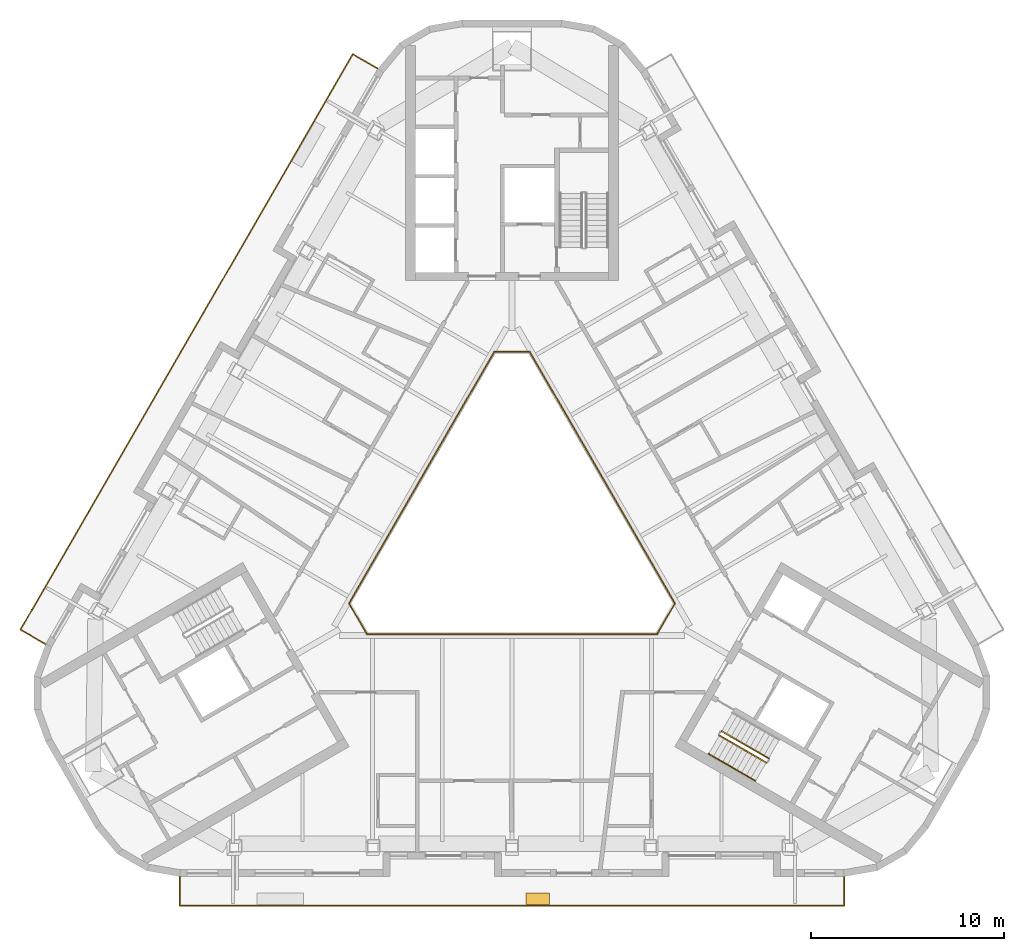
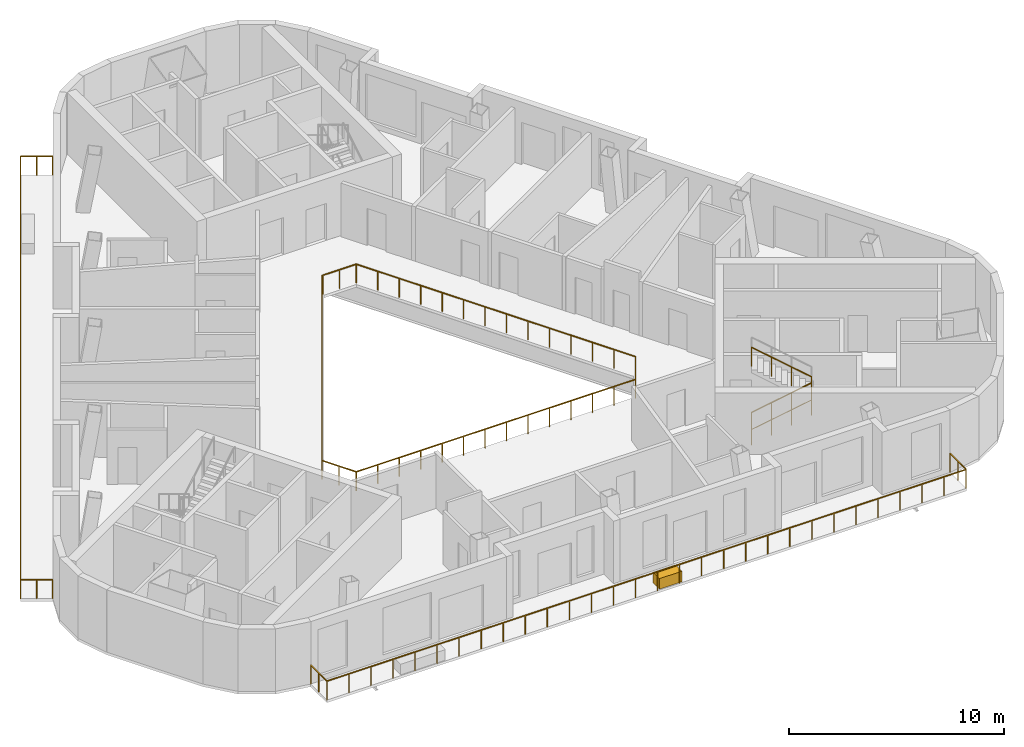
# One storey, part 10 of 13: 7 railings, 1 covering.
"""IFC4 building model written with IfcOpenShell, lengths in metres."""

from ifc_helpers import new_model, si_unit, direction, frame, origin, origin_2d, place, context, subcontext, project, spatial, rectangle, circle, extrude, material, type_object, element, save


model = new_model("IFC4")

# Units and contexts
model_context = context("Model", 3, precision=1e-05, world=origin(), true_north=direction((0.0, 1.0)))
body_context = subcontext(model_context, "Body", "Model", "MODEL_VIEW")
ifc_project = project(units=[si_unit("LENGTHUNIT", "METRE"), si_unit("AREAUNIT", "SQUARE_METRE"), si_unit("VOLUMEUNIT", "CUBIC_METRE"), si_unit("PLANEANGLEUNIT", "RADIAN"), si_unit("MASSUNIT", "GRAM", prefix="KILO")], contexts=[model_context])

# Site, building, storey
site_placement = place(None, origin())
site = spatial("IfcSite", under=ifc_project, at=site_placement, CompositionType="ELEMENT")
building_placement = place(site_placement, origin())
building = spatial("IfcBuilding", under=site, at=building_placement, Name="Apuvela Tower Hotel", CompositionType="ELEMENT")
storey_placement = place(building_placement, frame((0.0, 0.0, 287.39990234375)))
storey = spatial("IfcBuildingStorey", under=building, at=storey_placement, Name="L71", CompositionType="ELEMENT", Elevation=287.39990234375)

# Railings
ifc_material_1 = material(Name="Steel S275 balustrade", Category="steel")
railing_type_1 = type_object("IfcRailingType", Name="COR-GUARD-1100", PredefinedType="GUARDRAIL", material=ifc_material_1)
railing_1_placement = place(storey_placement, frame((10.718994140625, -10.63427734375, 0.168212890625)))
element("IfcRailing", 1, at=railing_1_placement, inside=storey, type_object=railing_type_1, Name="L71 ST3 stair guard 1", PredefinedType="GUARDRAIL", context=body_context, shape_type="SweptSolid", body=[
    extrude(rectangle(XDim=0.048095703125, YDim=0.048095703125, at=origin_2d()), frame((0.0, 0.0, 1.076171875), z_axis=(0.742390482028, -0.42860119049, 0.514934356695), x_axis=(0.49998411664, 0.866034573852, 0.0)), (0.0, 0.0, 1.0), 3.26611328125),
    extrude(rectangle(XDim=0.0419921875, YDim=0.0419921875, at=origin_2d()), origin(), (0.0, 0.0, 1.0), 1.052001953125),
    extrude(rectangle(XDim=0.0419921875, YDim=0.0419921875, at=origin_2d()), frame((0.808349609375, -0.466552734375, 0.560546875)), (0.0, 0.0, 1.0), 1.052001953125),
    extrude(rectangle(XDim=0.0419921875, YDim=0.0419921875, at=origin_2d()), frame((1.616455078125, -0.933349609375, 1.121337890625)), (0.0, 0.0, 1.0), 1.052001953125),
    extrude(rectangle(XDim=0.0419921875, YDim=0.0419921875, at=origin_2d()), frame((2.4248046875, -1.39990234375, 1.681884765625)), (0.0, 0.0, 1.0), 1.052001953125),
])
railing_2_placement = place(storey_placement, frame((13.268798828125, -11.817626953125, 2.018310546875)))
element("IfcRailing", 2, at=railing_2_placement, inside=storey, type_object=railing_type_1, Name="L71 ST3 stair guard 3", PredefinedType="GUARDRAIL", context=body_context, shape_type="SweptSolid", body=[
    extrude(rectangle(XDim=0.048095703125, YDim=0.048095703125, at=origin_2d()), frame((0.0, 0.0, 1.076171875), z_axis=(-0.742390482028, 0.42860119049, 0.514934356695), x_axis=(-0.49998411664, -0.866034573852, 0.0)), (0.0, 0.0, 1.0), 3.26611328125),
    extrude(rectangle(XDim=0.0419921875, YDim=0.0419921875, at=origin_2d()), origin(), (0.0, 0.0, 1.0), 1.052001953125),
    extrude(rectangle(XDim=0.0419921875, YDim=0.0419921875, at=origin_2d()), frame((-0.808349609375, 0.466552734375, 0.560546875)), (0.0, 0.0, 1.0), 1.052001953125),
    extrude(rectangle(XDim=0.0419921875, YDim=0.0419921875, at=origin_2d()), frame((-1.616455078125, 0.933349609375, 1.121337890625)), (0.0, 0.0, 1.0), 1.052001953125),
    extrude(rectangle(XDim=0.0419921875, YDim=0.0419921875, at=origin_2d()), frame((-2.4248046875, 1.39990234375, 1.681884765625)), (0.0, 0.0, 1.0), 1.052001953125),
])
ifc_material_2 = material(Name="Stainless steel 316 handrail", Category="steel")
railing_type_2 = type_object("IfcRailingType", Name="COR-HANDRAIL-900", PredefinedType="HANDRAIL", material=ifc_material_2)
railing_3_placement = place(storey_placement, frame((10.1689453125, -11.5869140625, 0.168212890625)))
element("IfcRailing", 3, at=railing_3_placement, inside=storey, type_object=railing_type_2, Name="L71 ST3 stair handrail 1", PredefinedType="HANDRAIL", context=body_context, shape_type="SweptSolid", body=[
    extrude(circle(Radius=0.02392578125, at=origin_2d()), frame((0.0, 0.0, 0.8759765625), z_axis=(0.742390482028, -0.42860119049, 0.514934356695), x_axis=(0.49998411664, 0.866034573852, 0.0)), (0.0, 0.0, 1.0), 3.26611328125),
    extrude(rectangle(XDim=0.0419921875, YDim=0.0419921875, at=origin_2d()), origin(), (0.0, 0.0, 1.0), 0.851806640625),
    extrude(rectangle(XDim=0.0419921875, YDim=0.0419921875, at=origin_2d()), frame((0.808349609375, -0.466552734375, 0.560546875)), (0.0, 0.0, 1.0), 0.851806640625),
    extrude(rectangle(XDim=0.0419921875, YDim=0.0419921875, at=origin_2d()), frame((1.616455078125, -0.933349609375, 1.121337890625)), (0.0, 0.0, 1.0), 0.851806640625),
    extrude(rectangle(XDim=0.0419921875, YDim=0.0419921875, at=origin_2d()), frame((2.4248046875, -1.39990234375, 1.681884765625)), (0.0, 0.0, 1.0), 0.851806640625),
])
ifc_material_3 = material(Name="Stainless steel 316 rail with laminated glass infill", Category="steel")
railing_type_3 = type_object("IfcRailingType", Name="ENV-GUARD-1100", PredefinedType="GUARDRAIL", material=ifc_material_3)
railing_4_placement = place(storey_placement, frame((-17.18505859375, -17.9287109375, 0.0)))
element("IfcRailing", 4, at=railing_4_placement, inside=storey, type_object=railing_type_3, Name="Balcony guard S L71", PredefinedType="GUARDRAIL", context=body_context, shape_type="SweptSolid", body=[
    extrude(rectangle(XDim=0.050048828125, YDim=0.050048828125, at=origin_2d()), frame((0.0, 0.0, 1.0751953125), z_axis=(0.0, -1.0, 0.0), x_axis=(1.0, 0.0, 0.0)), (0.0, 0.0, 1.0), 1.5),
    extrude(rectangle(XDim=0.050048828125, YDim=0.050048828125, at=origin_2d()), frame((0.0, -1.5, 1.0751953125), z_axis=(1.0, 0.0, 0.0), x_axis=(0.0, 1.0, 0.0)), (0.0, 0.0, 1.0), 34.3701171875),
    extrude(rectangle(XDim=0.050048828125, YDim=0.050048828125, at=origin_2d()), frame((34.3701171875, -1.5, 1.0751953125), z_axis=(0.0, 1.0, 0.0), x_axis=(-1.0, 0.0, 0.0)), (0.0, 0.0, 1.0), 1.5),
    extrude(rectangle(XDim=0.0400390625, YDim=0.0400390625, at=origin_2d()), origin(), (0.0, 0.0, 1.0), 1.050048828125),
    extrude(rectangle(XDim=0.0400390625, YDim=0.0400390625, at=origin_2d()), frame((0.0, -0.75, 0.0)), (0.0, 0.0, 1.0), 1.050048828125),
    extrude(rectangle(XDim=0.0400390625, YDim=0.0400390625, at=origin_2d()), frame((0.0, -1.5, 0.0)), (0.0, 0.0, 1.0), 1.050048828125),
    extrude(rectangle(XDim=0.0400390625, YDim=0.0400390625, at=origin_2d()), frame((1.18505859375, -1.5, 0.0)), (0.0, 0.0, 1.0), 1.050048828125),
    extrude(rectangle(XDim=0.0400390625, YDim=0.0400390625, at=origin_2d()), frame((2.370361328125, -1.5, 0.0)), (0.0, 0.0, 1.0), 1.050048828125),
    extrude(rectangle(XDim=0.0400390625, YDim=0.0400390625, at=origin_2d()), frame((3.555419921875, -1.5, 0.0)), (0.0, 0.0, 1.0), 1.050048828125),
    extrude(rectangle(XDim=0.0400390625, YDim=0.0400390625, at=origin_2d()), frame((4.74072265625, -1.5, 0.0)), (0.0, 0.0, 1.0), 1.050048828125),
    extrude(rectangle(XDim=0.0400390625, YDim=0.0400390625, at=origin_2d()), frame((5.92578125, -1.5, 0.0)), (0.0, 0.0, 1.0), 1.050048828125),
    extrude(rectangle(XDim=0.0400390625, YDim=0.0400390625, at=origin_2d()), frame((7.111083984375, -1.5, 0.0)), (0.0, 0.0, 1.0), 1.050048828125),
    extrude(rectangle(XDim=0.0400390625, YDim=0.0400390625, at=origin_2d()), frame((8.296142578125, -1.5, 0.0)), (0.0, 0.0, 1.0), 1.050048828125),
    extrude(rectangle(XDim=0.0400390625, YDim=0.0400390625, at=origin_2d()), frame((9.4814453125, -1.5, 0.0)), (0.0, 0.0, 1.0), 1.050048828125),
    extrude(rectangle(XDim=0.0400390625, YDim=0.0400390625, at=origin_2d()), frame((10.66650390625, -1.5, 0.0)), (0.0, 0.0, 1.0), 1.050048828125),
    extrude(rectangle(XDim=0.0400390625, YDim=0.0400390625, at=origin_2d()), frame((11.851806640625, -1.5, 0.0)), (0.0, 0.0, 1.0), 1.050048828125),
    extrude(rectangle(XDim=0.0400390625, YDim=0.0400390625, at=origin_2d()), frame((13.036865234375, -1.5, 0.0)), (0.0, 0.0, 1.0), 1.050048828125),
    extrude(rectangle(XDim=0.0400390625, YDim=0.0400390625, at=origin_2d()), frame((14.22216796875, -1.5, 0.0)), (0.0, 0.0, 1.0), 1.050048828125),
    extrude(rectangle(XDim=0.0400390625, YDim=0.0400390625, at=origin_2d()), frame((15.4072265625, -1.5, 0.0)), (0.0, 0.0, 1.0), 1.050048828125),
    extrude(rectangle(XDim=0.0400390625, YDim=0.0400390625, at=origin_2d()), frame((16.592529296875, -1.5, 0.0)), (0.0, 0.0, 1.0), 1.050048828125),
    extrude(rectangle(XDim=0.0400390625, YDim=0.0400390625, at=origin_2d()), frame((17.777587890625, -1.5, 0.0)), (0.0, 0.0, 1.0), 1.050048828125),
    extrude(rectangle(XDim=0.0400390625, YDim=0.0400390625, at=origin_2d()), frame((18.962890625, -1.5, 0.0)), (0.0, 0.0, 1.0), 1.050048828125),
    extrude(rectangle(XDim=0.0400390625, YDim=0.0400390625, at=origin_2d()), frame((20.14794921875, -1.5, 0.0)), (0.0, 0.0, 1.0), 1.050048828125),
    extrude(rectangle(XDim=0.0400390625, YDim=0.0400390625, at=origin_2d()), frame((21.333251953125, -1.5, 0.0)), (0.0, 0.0, 1.0), 1.050048828125),
    extrude(rectangle(XDim=0.0400390625, YDim=0.0400390625, at=origin_2d()), frame((22.518310546875, -1.5, 0.0)), (0.0, 0.0, 1.0), 1.050048828125),
    extrude(rectangle(XDim=0.0400390625, YDim=0.0400390625, at=origin_2d()), frame((23.70361328125, -1.5, 0.0)), (0.0, 0.0, 1.0), 1.050048828125),
    extrude(rectangle(XDim=0.0400390625, YDim=0.0400390625, at=origin_2d()), frame((24.888671875, -1.5, 0.0)), (0.0, 0.0, 1.0), 1.050048828125),
    extrude(rectangle(XDim=0.0400390625, YDim=0.0400390625, at=origin_2d()), frame((26.073974609375, -1.5, 0.0)), (0.0, 0.0, 1.0), 1.050048828125),
    extrude(rectangle(XDim=0.0400390625, YDim=0.0400390625, at=origin_2d()), frame((27.259033203125, -1.5, 0.0)), (0.0, 0.0, 1.0), 1.050048828125),
    extrude(rectangle(XDim=0.0400390625, YDim=0.0400390625, at=origin_2d()), frame((28.4443359375, -1.5, 0.0)), (0.0, 0.0, 1.0), 1.050048828125),
    extrude(rectangle(XDim=0.0400390625, YDim=0.0400390625, at=origin_2d()), frame((29.62939453125, -1.5, 0.0)), (0.0, 0.0, 1.0), 1.050048828125),
    extrude(rectangle(XDim=0.0400390625, YDim=0.0400390625, at=origin_2d()), frame((30.814697265625, -1.5, 0.0)), (0.0, 0.0, 1.0), 1.050048828125),
    extrude(rectangle(XDim=0.0400390625, YDim=0.0400390625, at=origin_2d()), frame((31.999755859375, -1.5, 0.0)), (0.0, 0.0, 1.0), 1.050048828125),
    extrude(rectangle(XDim=0.0400390625, YDim=0.0400390625, at=origin_2d()), frame((33.18505859375, -1.5, 0.0)), (0.0, 0.0, 1.0), 1.050048828125),
    extrude(rectangle(XDim=0.0400390625, YDim=0.0400390625, at=origin_2d()), frame((34.3701171875, -1.5, 0.0)), (0.0, 0.0, 1.0), 1.050048828125),
    extrude(rectangle(XDim=0.0400390625, YDim=0.0400390625, at=origin_2d()), frame((34.3701171875, -0.75, 0.0)), (0.0, 0.0, 1.0), 1.050048828125),
    extrude(rectangle(XDim=0.0400390625, YDim=0.0400390625, at=origin_2d()), frame((34.3701171875, 0.0, 0.0)), (0.0, 0.0, 1.0), 1.050048828125),
])
railing_5_placement = place(storey_placement, frame((-6.93408203125, 23.84716796875, 0.0)))
element("IfcRailing", 5, at=railing_5_placement, inside=storey, type_object=railing_type_3, Name="Balcony guard NW L71", PredefinedType="GUARDRAIL", context=body_context, shape_type="SweptSolid", body=[
    extrude(rectangle(XDim=0.050048828125, YDim=0.050048828125, at=origin_2d()), frame((0.0, 0.0, 1.0751953125), z_axis=(-0.866031096941, 0.499990139034, 0.0), x_axis=(-0.499990139034, -0.866031096941, 0.0)), (0.0, 0.0, 1.0), 1.5),
    extrude(rectangle(XDim=0.050048828125, YDim=0.050048828125, at=origin_2d()), frame((-1.299072265625, 0.75, 1.0751953125), z_axis=(-0.499997097509, -0.866027079532, 0.0), x_axis=(0.866027079532, -0.499997097509, 0.0)), (0.0, 0.0, 1.0), 34.370361328125),
    extrude(rectangle(XDim=0.050048828125, YDim=0.050048828125, at=origin_2d()), frame((-18.484130859375, -29.015625, 1.0751953125), z_axis=(0.86599040064, -0.500060622324, 0.0), x_axis=(0.500060622324, 0.86599040064, 0.0)), (0.0, 0.0, 1.0), 1.499755859375),
    extrude(rectangle(XDim=0.0400390625, YDim=0.0400390625, at=origin_2d()), origin(), (0.0, 0.0, 1.0), 1.050048828125),
    extrude(rectangle(XDim=0.0400390625, YDim=0.0400390625, at=origin_2d()), frame((-0.6494140625, 0.375, 0.0)), (0.0, 0.0, 1.0), 1.050048828125),
    extrude(rectangle(XDim=0.0400390625, YDim=0.0400390625, at=origin_2d()), frame((-1.299072265625, 0.75, 0.0)), (0.0, 0.0, 1.0), 1.050048828125),
    extrude(rectangle(XDim=0.0400390625, YDim=0.0400390625, at=origin_2d()), frame((-1.8916015625, -0.2763671875, 0.0)), (0.0, 0.0, 1.0), 1.050048828125),
    extrude(rectangle(XDim=0.0400390625, YDim=0.0400390625, at=origin_2d()), frame((-2.484130859375, -1.302734375, 0.0)), (0.0, 0.0, 1.0), 1.050048828125),
    extrude(rectangle(XDim=0.0400390625, YDim=0.0400390625, at=origin_2d()), frame((-3.076904296875, -2.3291015625, 0.0)), (0.0, 0.0, 1.0), 1.050048828125),
    extrude(rectangle(XDim=0.0400390625, YDim=0.0400390625, at=origin_2d()), frame((-3.66943359375, -3.355712890625, 0.0)), (0.0, 0.0, 1.0), 1.050048828125),
    extrude(rectangle(XDim=0.0400390625, YDim=0.0400390625, at=origin_2d()), frame((-4.261962890625, -4.382080078125, 0.0)), (0.0, 0.0, 1.0), 1.050048828125),
    extrude(rectangle(XDim=0.0400390625, YDim=0.0400390625, at=origin_2d()), frame((-4.8544921875, -5.408447265625, 0.0)), (0.0, 0.0, 1.0), 1.050048828125),
    extrude(rectangle(XDim=0.0400390625, YDim=0.0400390625, at=origin_2d()), frame((-5.447265625, -6.434814453125, 0.0)), (0.0, 0.0, 1.0), 1.050048828125),
    extrude(rectangle(XDim=0.0400390625, YDim=0.0400390625, at=origin_2d()), frame((-6.039794921875, -7.461181640625, 0.0)), (0.0, 0.0, 1.0), 1.050048828125),
    extrude(rectangle(XDim=0.0400390625, YDim=0.0400390625, at=origin_2d()), frame((-6.63232421875, -8.487548828125, 0.0)), (0.0, 0.0, 1.0), 1.050048828125),
    extrude(rectangle(XDim=0.0400390625, YDim=0.0400390625, at=origin_2d()), frame((-7.224853515625, -9.513916015625, 0.0)), (0.0, 0.0, 1.0), 1.050048828125),
    extrude(rectangle(XDim=0.0400390625, YDim=0.0400390625, at=origin_2d()), frame((-7.817626953125, -10.54052734375, 0.0)), (0.0, 0.0, 1.0), 1.050048828125),
    extrude(rectangle(XDim=0.0400390625, YDim=0.0400390625, at=origin_2d()), frame((-8.41015625, -11.56689453125, 0.0)), (0.0, 0.0, 1.0), 1.050048828125),
    extrude(rectangle(XDim=0.0400390625, YDim=0.0400390625, at=origin_2d()), frame((-9.002685546875, -12.59326171875, 0.0)), (0.0, 0.0, 1.0), 1.050048828125),
    extrude(rectangle(XDim=0.0400390625, YDim=0.0400390625, at=origin_2d()), frame((-9.59521484375, -13.61962890625, 0.0)), (0.0, 0.0, 1.0), 1.050048828125),
    extrude(rectangle(XDim=0.0400390625, YDim=0.0400390625, at=origin_2d()), frame((-10.18798828125, -14.64599609375, 0.0)), (0.0, 0.0, 1.0), 1.050048828125),
    extrude(rectangle(XDim=0.0400390625, YDim=0.0400390625, at=origin_2d()), frame((-10.780517578125, -15.67236328125, 0.0)), (0.0, 0.0, 1.0), 1.050048828125),
    extrude(rectangle(XDim=0.0400390625, YDim=0.0400390625, at=origin_2d()), frame((-11.373046875, -16.69873046875, 0.0)), (0.0, 0.0, 1.0), 1.050048828125),
    extrude(rectangle(XDim=0.0400390625, YDim=0.0400390625, at=origin_2d()), frame((-11.965576171875, -17.72509765625, 0.0)), (0.0, 0.0, 1.0), 1.050048828125),
    extrude(rectangle(XDim=0.0400390625, YDim=0.0400390625, at=origin_2d()), frame((-12.558349609375, -18.751708984375, 0.0)), (0.0, 0.0, 1.0), 1.050048828125),
    extrude(rectangle(XDim=0.0400390625, YDim=0.0400390625, at=origin_2d()), frame((-13.15087890625, -19.778076171875, 0.0)), (0.0, 0.0, 1.0), 1.050048828125),
    extrude(rectangle(XDim=0.0400390625, YDim=0.0400390625, at=origin_2d()), frame((-13.743408203125, -20.804443359375, 0.0)), (0.0, 0.0, 1.0), 1.050048828125),
    extrude(rectangle(XDim=0.0400390625, YDim=0.0400390625, at=origin_2d()), frame((-14.3359375, -21.830810546875, 0.0)), (0.0, 0.0, 1.0), 1.050048828125),
    extrude(rectangle(XDim=0.0400390625, YDim=0.0400390625, at=origin_2d()), frame((-14.9287109375, -22.857177734375, 0.0)), (0.0, 0.0, 1.0), 1.050048828125),
    extrude(rectangle(XDim=0.0400390625, YDim=0.0400390625, at=origin_2d()), frame((-15.521240234375, -23.883544921875, 0.0)), (0.0, 0.0, 1.0), 1.050048828125),
    extrude(rectangle(XDim=0.0400390625, YDim=0.0400390625, at=origin_2d()), frame((-16.11376953125, -24.909912109375, 0.0)), (0.0, 0.0, 1.0), 1.050048828125),
    extrude(rectangle(XDim=0.0400390625, YDim=0.0400390625, at=origin_2d()), frame((-16.706298828125, -25.9365234375, 0.0)), (0.0, 0.0, 1.0), 1.050048828125),
    extrude(rectangle(XDim=0.0400390625, YDim=0.0400390625, at=origin_2d()), frame((-17.299072265625, -26.962890625, 0.0)), (0.0, 0.0, 1.0), 1.050048828125),
    extrude(rectangle(XDim=0.0400390625, YDim=0.0400390625, at=origin_2d()), frame((-17.8916015625, -27.9892578125, 0.0)), (0.0, 0.0, 1.0), 1.050048828125),
    extrude(rectangle(XDim=0.0400390625, YDim=0.0400390625, at=origin_2d()), frame((-18.484130859375, -29.015625, 0.0)), (0.0, 0.0, 1.0), 1.050048828125),
    extrude(rectangle(XDim=0.0400390625, YDim=0.0400390625, at=origin_2d()), frame((-17.834716796875, -29.390625, 0.0)), (0.0, 0.0, 1.0), 1.050048828125),
    extrude(rectangle(XDim=0.0400390625, YDim=0.0400390625, at=origin_2d()), frame((-17.185302734375, -29.765625, 0.0)), (0.0, 0.0, 1.0), 1.050048828125),
])
railing_6_placement = place(storey_placement, frame((-0.923828125, 9.199951171875, 0.0)))
element("IfcRailing", 6, at=railing_6_placement, inside=storey, type_object=railing_type_3, Name="Atrium void guard A L71", PredefinedType="GUARDRAIL", context=body_context, shape_type="SweptSolid", body=[
    extrude(rectangle(XDim=0.050048828125, YDim=0.050048828125, at=origin_2d()), frame((0.0, 0.0, 1.0751953125), z_axis=(-0.499990886379, -0.866030665472, 0.0), x_axis=(0.866030665472, -0.499990886379, 0.0)), (0.0, 0.0, 1.0), 15.010986328125),
    extrude(rectangle(XDim=0.050048828125, YDim=0.050048828125, at=origin_2d()), frame((-7.50537109375, -13.0, 1.0751953125), z_axis=(0.499962699187, -0.866046938348, 0.0), x_axis=(0.866046938348, 0.499962699187, 0.0)), (0.0, 0.0, 1.0), 1.847412109375),
    extrude(rectangle(XDim=0.050048828125, YDim=0.050048828125, at=origin_2d()), frame((-6.581787109375, -14.599853515625, 1.0751953125), z_axis=(1.0, 0.0, 0.0), x_axis=(0.0, 1.0, 0.0)), (0.0, 0.0, 1.0), 15.01123046875),
    extrude(rectangle(XDim=0.0400390625, YDim=0.0400390625, at=origin_2d()), origin(), (0.0, 0.0, 1.0), 1.050048828125),
    extrude(rectangle(XDim=0.0400390625, YDim=0.0400390625, at=origin_2d()), frame((-0.577392578125, -1.0, 0.0)), (0.0, 0.0, 1.0), 1.050048828125),
    extrude(rectangle(XDim=0.0400390625, YDim=0.0400390625, at=origin_2d()), frame((-1.15478515625, -2.0, 0.0)), (0.0, 0.0, 1.0), 1.050048828125),
    extrude(rectangle(XDim=0.0400390625, YDim=0.0400390625, at=origin_2d()), frame((-1.73193359375, -3.0, 0.0)), (0.0, 0.0, 1.0), 1.050048828125),
    extrude(rectangle(XDim=0.0400390625, YDim=0.0400390625, at=origin_2d()), frame((-2.309326171875, -4.0, 0.0)), (0.0, 0.0, 1.0), 1.050048828125),
    extrude(rectangle(XDim=0.0400390625, YDim=0.0400390625, at=origin_2d()), frame((-2.88671875, -5.0, 0.0)), (0.0, 0.0, 1.0), 1.050048828125),
    extrude(rectangle(XDim=0.0400390625, YDim=0.0400390625, at=origin_2d()), frame((-3.464111328125, -6.0, 0.0)), (0.0, 0.0, 1.0), 1.050048828125),
    extrude(rectangle(XDim=0.0400390625, YDim=0.0400390625, at=origin_2d()), frame((-4.041259765625, -7.0, 0.0)), (0.0, 0.0, 1.0), 1.050048828125),
    extrude(rectangle(XDim=0.0400390625, YDim=0.0400390625, at=origin_2d()), frame((-4.61865234375, -8.0, 0.0)), (0.0, 0.0, 1.0), 1.050048828125),
    extrude(rectangle(XDim=0.0400390625, YDim=0.0400390625, at=origin_2d()), frame((-5.196044921875, -9.0, 0.0)), (0.0, 0.0, 1.0), 1.050048828125),
    extrude(rectangle(XDim=0.0400390625, YDim=0.0400390625, at=origin_2d()), frame((-5.7734375, -10.0, 0.0)), (0.0, 0.0, 1.0), 1.050048828125),
    extrude(rectangle(XDim=0.0400390625, YDim=0.0400390625, at=origin_2d()), frame((-6.3505859375, -11.0, 0.0)), (0.0, 0.0, 1.0), 1.050048828125),
    extrude(rectangle(XDim=0.0400390625, YDim=0.0400390625, at=origin_2d()), frame((-6.927978515625, -12.0, 0.0)), (0.0, 0.0, 1.0), 1.050048828125),
    extrude(rectangle(XDim=0.0400390625, YDim=0.0400390625, at=origin_2d()), frame((-7.50537109375, -13.0, 0.0)), (0.0, 0.0, 1.0), 1.050048828125),
    extrude(rectangle(XDim=0.0400390625, YDim=0.0400390625, at=origin_2d()), frame((-7.04345703125, -13.7998046875, 0.0)), (0.0, 0.0, 1.0), 1.050048828125),
    extrude(rectangle(XDim=0.0400390625, YDim=0.0400390625, at=origin_2d()), frame((-6.581787109375, -14.599853515625, 0.0)), (0.0, 0.0, 1.0), 1.050048828125),
    extrude(rectangle(XDim=0.0400390625, YDim=0.0400390625, at=origin_2d()), frame((-5.427001953125, -14.599853515625, 0.0)), (0.0, 0.0, 1.0), 1.050048828125),
    extrude(rectangle(XDim=0.0400390625, YDim=0.0400390625, at=origin_2d()), frame((-4.2724609375, -14.599853515625, 0.0)), (0.0, 0.0, 1.0), 1.050048828125),
    extrude(rectangle(XDim=0.0400390625, YDim=0.0400390625, at=origin_2d()), frame((-3.11767578125, -14.599853515625, 0.0)), (0.0, 0.0, 1.0), 1.050048828125),
    extrude(rectangle(XDim=0.0400390625, YDim=0.0400390625, at=origin_2d()), frame((-1.962890625, -14.599853515625, 0.0)), (0.0, 0.0, 1.0), 1.050048828125),
    extrude(rectangle(XDim=0.0400390625, YDim=0.0400390625, at=origin_2d()), frame((-0.808349609375, -14.599853515625, 0.0)), (0.0, 0.0, 1.0), 1.050048828125),
    extrude(rectangle(XDim=0.0400390625, YDim=0.0400390625, at=origin_2d()), frame((0.346435546875, -14.599853515625, 0.0)), (0.0, 0.0, 1.0), 1.050048828125),
    extrude(rectangle(XDim=0.0400390625, YDim=0.0400390625, at=origin_2d()), frame((1.501220703125, -14.599853515625, 0.0)), (0.0, 0.0, 1.0), 1.050048828125),
    extrude(rectangle(XDim=0.0400390625, YDim=0.0400390625, at=origin_2d()), frame((2.656005859375, -14.599853515625, 0.0)), (0.0, 0.0, 1.0), 1.050048828125),
    extrude(rectangle(XDim=0.0400390625, YDim=0.0400390625, at=origin_2d()), frame((3.810546875, -14.599853515625, 0.0)), (0.0, 0.0, 1.0), 1.050048828125),
    extrude(rectangle(XDim=0.0400390625, YDim=0.0400390625, at=origin_2d()), frame((4.96533203125, -14.599853515625, 0.0)), (0.0, 0.0, 1.0), 1.050048828125),
    extrude(rectangle(XDim=0.0400390625, YDim=0.0400390625, at=origin_2d()), frame((6.1201171875, -14.599853515625, 0.0)), (0.0, 0.0, 1.0), 1.050048828125),
    extrude(rectangle(XDim=0.0400390625, YDim=0.0400390625, at=origin_2d()), frame((7.274658203125, -14.599853515625, 0.0)), (0.0, 0.0, 1.0), 1.050048828125),
    extrude(rectangle(XDim=0.0400390625, YDim=0.0400390625, at=origin_2d()), frame((8.429443359375, -14.599853515625, 0.0)), (0.0, 0.0, 1.0), 1.050048828125),
])
railing_7_placement = place(storey_placement, frame((7.53564453125, -5.347900390625, 0.0)))
element("IfcRailing", 7, at=railing_7_placement, inside=storey, type_object=railing_type_3, Name="Atrium void guard B L71", PredefinedType="GUARDRAIL", context=body_context, shape_type="SweptSolid", body=[
    extrude(rectangle(XDim=0.050048828125, YDim=0.050048828125, at=origin_2d()), frame((0.0, 0.0, 1.0751953125), z_axis=(0.499958946799, 0.866049104564, 0.0), x_axis=(-0.866049104564, 0.499958946799, 0.0)), (0.0, 0.0, 1.0), 1.787353515625),
    extrude(rectangle(XDim=0.050048828125, YDim=0.050048828125, at=origin_2d()), frame((0.8935546875, 1.5478515625, 1.0751953125), z_axis=(-0.499990886379, 0.866030665472, 0.0), x_axis=(-0.866030665472, -0.499990886379, 0.0)), (0.0, 0.0, 1.0), 15.010986328125),
    extrude(rectangle(XDim=0.050048828125, YDim=0.050048828125, at=origin_2d()), frame((-6.61181640625, 14.5478515625, 1.0751953125), z_axis=(-1.0, 0.0, 0.0), x_axis=(0.0, -1.0, 0.0)), (0.0, 0.0, 1.0), 1.78759765625),
    extrude(rectangle(XDim=0.0400390625, YDim=0.0400390625, at=origin_2d()), origin(), (0.0, 0.0, 1.0), 1.050048828125),
    extrude(rectangle(XDim=0.0400390625, YDim=0.0400390625, at=origin_2d()), frame((0.44677734375, 0.77392578125, 0.0)), (0.0, 0.0, 1.0), 1.050048828125),
    extrude(rectangle(XDim=0.0400390625, YDim=0.0400390625, at=origin_2d()), frame((0.8935546875, 1.5478515625, 0.0)), (0.0, 0.0, 1.0), 1.050048828125),
    extrude(rectangle(XDim=0.0400390625, YDim=0.0400390625, at=origin_2d()), frame((0.316162109375, 2.5478515625, 0.0)), (0.0, 0.0, 1.0), 1.050048828125),
    extrude(rectangle(XDim=0.0400390625, YDim=0.0400390625, at=origin_2d()), frame((-0.26123046875, 3.5478515625, 0.0)), (0.0, 0.0, 1.0), 1.050048828125),
    extrude(rectangle(XDim=0.0400390625, YDim=0.0400390625, at=origin_2d()), frame((-0.83837890625, 4.5478515625, 0.0)), (0.0, 0.0, 1.0), 1.050048828125),
    extrude(rectangle(XDim=0.0400390625, YDim=0.0400390625, at=origin_2d()), frame((-1.415771484375, 5.5478515625, 0.0)), (0.0, 0.0, 1.0), 1.050048828125),
    extrude(rectangle(XDim=0.0400390625, YDim=0.0400390625, at=origin_2d()), frame((-1.9931640625, 6.5478515625, 0.0)), (0.0, 0.0, 1.0), 1.050048828125),
    extrude(rectangle(XDim=0.0400390625, YDim=0.0400390625, at=origin_2d()), frame((-2.570556640625, 7.5478515625, 0.0)), (0.0, 0.0, 1.0), 1.050048828125),
    extrude(rectangle(XDim=0.0400390625, YDim=0.0400390625, at=origin_2d()), frame((-3.147705078125, 8.5478515625, 0.0)), (0.0, 0.0, 1.0), 1.050048828125),
    extrude(rectangle(XDim=0.0400390625, YDim=0.0400390625, at=origin_2d()), frame((-3.72509765625, 9.5478515625, 0.0)), (0.0, 0.0, 1.0), 1.050048828125),
    extrude(rectangle(XDim=0.0400390625, YDim=0.0400390625, at=origin_2d()), frame((-4.302490234375, 10.5478515625, 0.0)), (0.0, 0.0, 1.0), 1.050048828125),
    extrude(rectangle(XDim=0.0400390625, YDim=0.0400390625, at=origin_2d()), frame((-4.8798828125, 11.5478515625, 0.0)), (0.0, 0.0, 1.0), 1.050048828125),
    extrude(rectangle(XDim=0.0400390625, YDim=0.0400390625, at=origin_2d()), frame((-5.45703125, 12.5478515625, 0.0)), (0.0, 0.0, 1.0), 1.050048828125),
    extrude(rectangle(XDim=0.0400390625, YDim=0.0400390625, at=origin_2d()), frame((-6.034423828125, 13.5478515625, 0.0)), (0.0, 0.0, 1.0), 1.050048828125),
    extrude(rectangle(XDim=0.0400390625, YDim=0.0400390625, at=origin_2d()), frame((-6.61181640625, 14.5478515625, 0.0)), (0.0, 0.0, 1.0), 1.050048828125),
    extrude(rectangle(XDim=0.0400390625, YDim=0.0400390625, at=origin_2d()), frame((-7.505615234375, 14.5478515625, 0.0)), (0.0, 0.0, 1.0), 1.050048828125),
    extrude(rectangle(XDim=0.0400390625, YDim=0.0400390625, at=origin_2d()), frame((-8.3994140625, 14.5478515625, 0.0)), (0.0, 0.0, 1.0), 1.050048828125),
])

# Covering
ifc_material_4 = material(Name="Planting substrate and soil, planted")
covering_type = type_object("IfcCoveringType", Name="ENV-PLANTER-1200x600", PredefinedType="USERDEFINED", material=ifc_material_4)
covering_placement = place(storey_placement, frame((1.3291015625, -19.07861328125, 0.0), z_axis=(0.0, 0.0, 1.0), x_axis=(1.0, 0.0, 0.0)))
element("IfcCovering", 8, at=covering_placement, inside=storey, type_object=covering_type, Name="Planter S2", ObjectType="PLANTER", PredefinedType="USERDEFINED", context=body_context, shape_type="SweptSolid", body=[
    extrude(rectangle(XDim=1.199951171875, YDim=0.60009765625, at=origin_2d()), origin(), (0.0, 0.0, 1.0), 0.60009765625),
])

save(model, "model.ifc")
